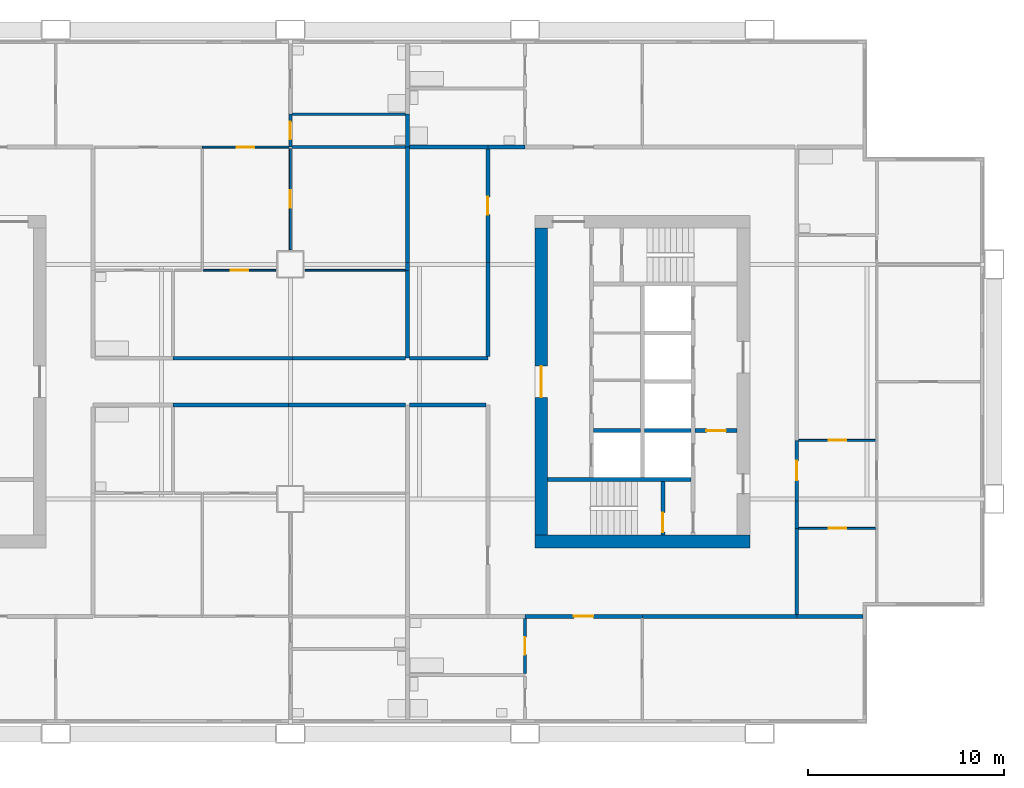
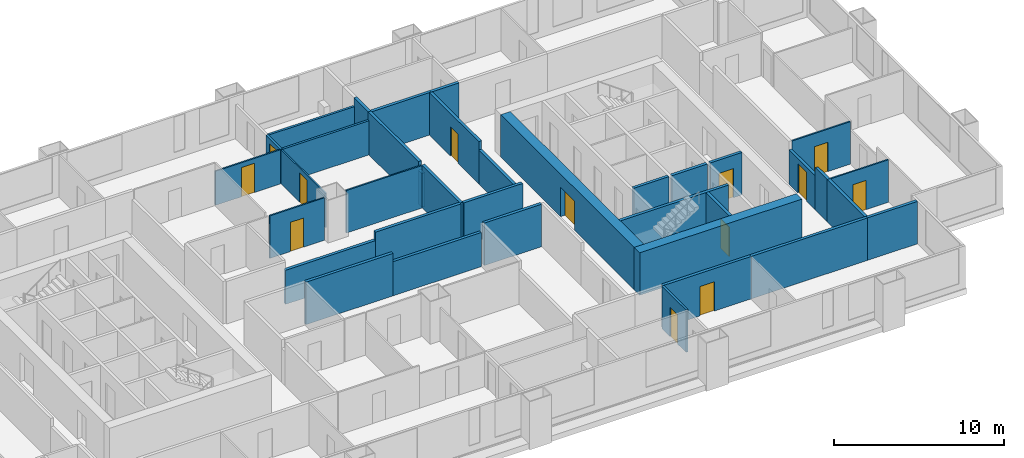
# One storey, part 6 of 11: 37 walls, 13 doors, 13 openings.
"""IFC4 building model written with IfcOpenShell, lengths in metres."""

from ifc_helpers import new_model, si_unit, direction, frame, frame_2d, origin, place, context, subcontext, project, spatial, rectangle, extrude, material, layer, layer_set, type_object, element, fill, save


model = new_model("IFC4")

# Units and contexts
model_context = context("Model", 3, precision=1e-05, world=origin(), true_north=direction((0.0, 1.0)))
body_context = subcontext(model_context, "Body", "Model", "MODEL_VIEW")
ifc_project = project(units=[si_unit("LENGTHUNIT", "METRE"), si_unit("AREAUNIT", "SQUARE_METRE"), si_unit("VOLUMEUNIT", "CUBIC_METRE"), si_unit("PLANEANGLEUNIT", "RADIAN"), si_unit("MASSUNIT", "GRAM", prefix="KILO")], contexts=[model_context])

# Site, building, storey
site_placement = place(None, origin())
site = spatial("IfcSite", under=ifc_project, at=site_placement, CompositionType="ELEMENT")
building_placement = place(site_placement, origin())
building = spatial("IfcBuilding", under=site, at=building_placement, Name="Kitamizu Gate Tower and Museum", CompositionType="ELEMENT")
storey_placement = place(building_placement, frame((0.0, 0.0, 120.75)))
storey = spatial("IfcBuildingStorey", under=building, at=storey_placement, Name="L31", CompositionType="ELEMENT", Elevation=120.75)

# Wall
ifc_material_1 = material(Name="Concrete Fc60", Category="concrete")
ifc_layer_1 = layer(ifc_material_1, 0.64990234375)
ifc_layer_set_1 = layer_set([ifc_layer_1], Name="Concrete Fc60")
wall_type_1 = type_object("IfcWallType", Name="Core wall 650", PredefinedType="SHEAR", material=ifc_layer_set_1)
wall_1_placement = place(storey_placement, frame((59.5, 21.824951171875, 0.0), z_axis=(0.0, 0.0, 1.0), x_axis=(-1.0, 0.0, 0.0)))
element("IfcWall", 1, at=wall_1_placement, inside=storey, type_object=wall_type_1, Name="Core wall ES", PredefinedType="SHEAR", context=body_context, shape_type="SweptSolid", body=[
    extrude(rectangle(XDim=11.0, YDim=0.64990234375, at=frame_2d((5.5, 0.0))), origin(), (0.0, 0.0, 1.0), 3.050048828125),
])

# Wall, opening, door
wall_2_placement = place(storey_placement, frame((48.824951171875, 22.14990234375, 0.0), z_axis=(0.0, 0.0, 1.0), x_axis=(0.0, 1.0, 0.0)))
wall_2 = element("IfcWall", 2, at=wall_2_placement, inside=storey, type_object=wall_type_1, Name="Core wall EARC", PredefinedType="SHEAR", context=body_context, shape_type="SweptSolid", body=[
    extrude(rectangle(XDim=15.7001953125, YDim=0.64990234375, at=frame_2d((7.85009765625, 0.0))), origin(), (0.0, 0.0, 1.0), 3.050048828125),
])
opening_1_placement = place(wall_2_placement, frame((7.050048828125, 0.0, 0.0)))
opening_1 = element("IfcOpeningElement", 3, at=opening_1_placement, cuts=wall_2, Name="Opening L31-068", PredefinedType="OPENING", context=body_context, shape_type="SweptSolid", body=[
    extrude(rectangle(XDim=1.60009765625, YDim=2.10009765625, at=frame_2d((0.800048828125, 1.050048828125))), frame((0.0, 0.3349609375, 0.0), z_axis=(0.0, -1.0, 0.0), x_axis=(1.0, 0.0, 0.0)), (0.0, 0.0, 1.0), 0.669921875),
])
ifc_material_2 = material(Name="Timber door set", Category="wood")
door_type_1 = type_object("IfcDoorType", Name="Entrance door 1600", OperationType="DOUBLE_DOOR_SINGLE_SWING", PredefinedType="DOOR", material=ifc_material_2)
door_1_placement = place(opening_1_placement, origin())
door_1 = element("IfcDoor", 4, at=door_1_placement, inside=storey, type_object=door_type_1, Name="Lobby door L31-068", OperationType="DOUBLE_DOOR_SINGLE_SWING", OverallHeight=2.10009765625, OverallWidth=1.60009765625, PredefinedType="DOOR", context=body_context, shape_type="SweptSolid", body=[
    extrude(rectangle(XDim=1.60009765625, YDim=2.10009765625, at=frame_2d((0.800048828125, 1.050048828125))), frame((0.0, 0.02490234375, 0.0), z_axis=(0.0, -1.0, 0.0), x_axis=(1.0, 0.0, 0.0)), (0.0, 0.0, 1.0), 0.050048828125),
])
fill(opening_1, door_1)

ifc_material_3 = material(Name="Gypsum board on galvanised stud")
ifc_layer_2 = layer(ifc_material_3, 0.10009765625)
ifc_layer_set_2 = layer_set([ifc_layer_2], Name="Gypsum board on galvanised stud")
wall_type_2 = type_object("IfcWallType", Name="Partition 100 NOT RATED", PredefinedType="PARTITIONING", material=ifc_layer_set_2)
wall_3_placement = place(storey_placement, frame((31.5, 42.0, 0.0), z_axis=(0.0, 0.0, 1.0), x_axis=(1.0, 0.0, 0.0)))
wall_3 = element("IfcWall", 5, at=wall_3_placement, inside=storey, type_object=wall_type_2, Name="Partition L31-063", PredefinedType="PARTITIONING", context=body_context, shape_type="SweptSolid", body=[
    extrude(rectangle(XDim=4.425048828125, YDim=0.10009765625, at=frame_2d((2.21240234375, 0.0))), origin(), (0.0, 0.0, 1.0), 2.449951171875),
])
opening_2_placement = place(wall_3_placement, frame((1.762451171875, 0.0, 0.0)))
opening_2 = element("IfcOpeningElement", 6, at=opening_2_placement, cuts=wall_3, Name="Opening L31-023", PredefinedType="OPENING", context=body_context, shape_type="SweptSolid", body=[
    extrude(rectangle(XDim=0.89990234375, YDim=2.10009765625, at=frame_2d((0.449951171875, 1.050048828125))), frame((0.0, 0.06005859375, 0.0), z_axis=(0.0, -1.0, 0.0), x_axis=(1.0, 0.0, 0.0)), (0.0, 0.0, 1.0), 0.1201171875),
])
ifc_material_4 = material(Name="Timber door set", Category="wood")
door_type_2 = type_object("IfcDoorType", Name="Room door 900", OperationType="NOTDEFINED", PredefinedType="DOOR", material=ifc_material_4)
door_2_placement = place(opening_2_placement, frame((0.89990234375, 0.0, 0.0), x_axis=(-1.0, 0.0, 0.0)))
door_2 = element("IfcDoor", 7, at=door_2_placement, inside=storey, type_object=door_type_2, Name="Door L31-023", OperationType="SINGLE_SWING_LEFT", OverallHeight=2.10009765625, OverallWidth=0.89990234375, PredefinedType="DOOR", context=body_context, shape_type="SweptSolid", body=[
    extrude(rectangle(XDim=0.89990234375, YDim=2.10009765625, at=frame_2d((0.449951171875, 1.050048828125))), frame((0.0, 0.02490234375, 0.0), z_axis=(0.0, -1.0, 0.0), x_axis=(1.0, 0.0, 0.0)), (0.0, 0.0, 1.0), 0.050048828125),
])
fill(opening_2, door_2)

wall_4_placement = place(storey_placement, frame((36.0, 36.75, 0.0), z_axis=(0.0, 0.0, 1.0), x_axis=(0.0, 1.0, 0.0)))
wall_4 = element("IfcWall", 8, at=wall_4_placement, inside=storey, type_object=wall_type_2, Name="Partition L31-075", PredefinedType="PARTITIONING", context=body_context, shape_type="SweptSolid", body=[
    extrude(rectangle(XDim=5.175048828125, YDim=0.10009765625, at=frame_2d((2.58740234375, 0.0))), origin(), (0.0, 0.0, 1.0), 2.449951171875),
])
opening_3_placement = place(wall_4_placement, frame((2.137451171875, 0.0, 0.0)))
opening_3 = element("IfcOpeningElement", 9, at=opening_3_placement, cuts=wall_4, Name="Opening L31-027", PredefinedType="OPENING", context=body_context, shape_type="SweptSolid", body=[
    extrude(rectangle(XDim=0.89990234375, YDim=2.10009765625, at=frame_2d((0.449951171875, 1.050048828125))), frame((0.0, 0.06005859375, 0.0), z_axis=(0.0, -1.0, 0.0), x_axis=(1.0, 0.0, 0.0)), (0.0, 0.0, 1.0), 0.1201171875),
])
door_3_placement = place(opening_3_placement, origin())
door_3 = element("IfcDoor", 10, at=door_3_placement, inside=storey, type_object=door_type_2, Name="Door L31-027", OperationType="SINGLE_SWING_RIGHT", OverallHeight=2.10009765625, OverallWidth=0.89990234375, PredefinedType="DOOR", context=body_context, shape_type="SweptSolid", body=[
    extrude(rectangle(XDim=0.89990234375, YDim=2.10009765625, at=frame_2d((0.449951171875, 1.050048828125))), frame((0.0, 0.02490234375, 0.0), z_axis=(0.0, -1.0, 0.0), x_axis=(1.0, 0.0, 0.0)), (0.0, 0.0, 1.0), 0.050048828125),
])
fill(opening_3, door_3)

wall_5_placement = place(storey_placement, frame((31.550048828125, 35.699951171875, 0.0), z_axis=(0.0, 0.0, 1.0), x_axis=(1.0, 0.0, 0.0)))
wall_5 = element("IfcWall", 11, at=wall_5_placement, inside=storey, type_object=wall_type_2, Name="Partition L31-076", PredefinedType="PARTITIONING", context=body_context, shape_type="SweptSolid", body=[
    extrude(rectangle(XDim=3.699951171875, YDim=0.10009765625, at=frame_2d((1.85009765625, 0.0))), origin(), (0.0, 0.0, 1.0), 3.050048828125),
])
opening_4_placement = place(wall_5_placement, frame((1.39990234375, 0.0, 0.0)))
opening_4 = element("IfcOpeningElement", 12, at=opening_4_placement, cuts=wall_5, Name="Opening L31-029", PredefinedType="OPENING", context=body_context, shape_type="SweptSolid", body=[
    extrude(rectangle(XDim=0.89990234375, YDim=2.10009765625, at=frame_2d((0.449951171875, 1.050048828125))), frame((0.0, 0.06005859375, 0.0), z_axis=(0.0, -1.0, 0.0), x_axis=(1.0, 0.0, 0.0)), (0.0, 0.0, 1.0), 0.1201171875),
])
door_4_placement = place(opening_4_placement, origin())
door_4 = element("IfcDoor", 13, at=door_4_placement, inside=storey, type_object=door_type_2, Name="Door L31-029", OperationType="SINGLE_SWING_RIGHT", OverallHeight=2.10009765625, OverallWidth=0.89990234375, PredefinedType="DOOR", context=body_context, shape_type="SweptSolid", body=[
    extrude(rectangle(XDim=0.89990234375, YDim=2.10009765625, at=frame_2d((0.449951171875, 1.050048828125))), frame((0.0, 0.02490234375, 0.0), z_axis=(0.0, -1.0, 0.0), x_axis=(1.0, 0.0, 0.0)), (0.0, 0.0, 1.0), 0.050048828125),
])
fill(opening_4, door_4)

# Wall
wall_6_placement = place(storey_placement, frame((36.75, 35.699951171875, 0.0), z_axis=(0.0, 0.0, 1.0), x_axis=(1.0, 0.0, 0.0)))
element("IfcWall", 14, at=wall_6_placement, inside=storey, type_object=wall_type_2, Name="Partition L31-077", PredefinedType="PARTITIONING", context=body_context, shape_type="SweptSolid", body=[
    extrude(rectangle(XDim=5.14990234375, YDim=0.10009765625, at=frame_2d((2.574951171875, 0.0))), origin(), (0.0, 0.0, 1.0), 3.050048828125),
])

# Wall, opening, door
wall_7_placement = place(storey_placement, frame((65.949951171875, 22.5, 0.0), z_axis=(0.0, 0.0, 1.0), x_axis=(-1.0, 0.0, 0.0)))
wall_7 = element("IfcWall", 15, at=wall_7_placement, inside=storey, type_object=wall_type_2, Name="Partition L31-107", PredefinedType="PARTITIONING", context=body_context, shape_type="SweptSolid", body=[
    extrude(rectangle(XDim=3.949951171875, YDim=0.10009765625, at=frame_2d((1.97509765625, 0.0))), origin(), (0.0, 0.0, 1.0), 3.050048828125),
])
opening_5_placement = place(wall_7_placement, frame((1.52490234375, 0.0, 0.0)))
opening_5 = element("IfcOpeningElement", 16, at=opening_5_placement, cuts=wall_7, Name="Opening L31-040", PredefinedType="OPENING", context=body_context, shape_type="SweptSolid", body=[
    extrude(rectangle(XDim=0.89990234375, YDim=2.10009765625, at=frame_2d((0.449951171875, 1.050048828125))), frame((0.0, 0.06005859375, 0.0), z_axis=(0.0, -1.0, 0.0), x_axis=(1.0, 0.0, 0.0)), (0.0, 0.0, 1.0), 0.1201171875),
])
door_5_placement = place(opening_5_placement, origin())
door_5 = element("IfcDoor", 17, at=door_5_placement, inside=storey, type_object=door_type_2, Name="Door L31-040", OperationType="SINGLE_SWING_LEFT", OverallHeight=2.10009765625, OverallWidth=0.89990234375, PredefinedType="DOOR", context=body_context, shape_type="SweptSolid", body=[
    extrude(rectangle(XDim=0.89990234375, YDim=2.10009765625, at=frame_2d((0.449951171875, 1.050048828125))), frame((0.0, 0.02490234375, 0.0), z_axis=(0.0, -1.0, 0.0), x_axis=(1.0, 0.0, 0.0)), (0.0, 0.0, 1.0), 0.050048828125),
])
fill(opening_5, door_5)

wall_8_placement = place(storey_placement, frame((65.949951171875, 27.0, 0.0), z_axis=(0.0, 0.0, 1.0), x_axis=(-1.0, 0.0, 0.0)))
wall_8 = element("IfcWall", 18, at=wall_8_placement, inside=storey, type_object=wall_type_2, Name="Partition L31-109", PredefinedType="PARTITIONING", context=body_context, shape_type="SweptSolid", body=[
    extrude(rectangle(XDim=3.949951171875, YDim=0.10009765625, at=frame_2d((1.97509765625, 0.0))), origin(), (0.0, 0.0, 1.0), 3.050048828125),
])
opening_6_placement = place(wall_8_placement, frame((1.52490234375, 0.0, 0.0)))
opening_6 = element("IfcOpeningElement", 19, at=opening_6_placement, cuts=wall_8, Name="Opening L31-037", PredefinedType="OPENING", context=body_context, shape_type="SweptSolid", body=[
    extrude(rectangle(XDim=0.89990234375, YDim=2.10009765625, at=frame_2d((0.449951171875, 1.050048828125))), frame((0.0, 0.06005859375, 0.0), z_axis=(0.0, -1.0, 0.0), x_axis=(1.0, 0.0, 0.0)), (0.0, 0.0, 1.0), 0.1201171875),
])
door_6_placement = place(opening_6_placement, origin())
door_6 = element("IfcDoor", 20, at=door_6_placement, inside=storey, type_object=door_type_2, Name="Door L31-037", OperationType="SINGLE_SWING_LEFT", OverallHeight=2.10009765625, OverallWidth=0.89990234375, PredefinedType="DOOR", context=body_context, shape_type="SweptSolid", body=[
    extrude(rectangle(XDim=0.89990234375, YDim=2.10009765625, at=frame_2d((0.449951171875, 1.050048828125))), frame((0.0, 0.02490234375, 0.0), z_axis=(0.0, -1.0, 0.0), x_axis=(1.0, 0.0, 0.0)), (0.0, 0.0, 1.0), 0.050048828125),
])
fill(opening_6, door_6)

ifc_material_5 = material(Name="Gypsum board on galvanised stud")
ifc_layer_3 = layer(ifc_material_5, 0.14990234375)
ifc_layer_set_3 = layer_set([ifc_layer_3], Name="Gypsum board on galvanised stud")
wall_type_3 = type_object("IfcWallType", Name="Partition 150", PredefinedType="PARTITIONING", material=ifc_layer_set_3)
wall_9_placement = place(storey_placement, frame((36.0, 42.0, 0.0), z_axis=(0.0, 0.0, 1.0), x_axis=(0.0, 1.0, 0.0)))
wall_9 = element("IfcWall", 21, at=wall_9_placement, inside=storey, type_object=wall_type_3, Name="Partition L31-061", PredefinedType="PARTITIONING", context=body_context, shape_type="SweptSolid", body=[
    extrude(rectangle(XDim=1.679931640625, YDim=0.14990234375, at=frame_2d((0.83984375, 0.0))), origin(), (0.0, 0.0, 1.0), 2.449951171875),
])
opening_7_placement = place(wall_9_placement, frame((0.389892578125, 0.0, 0.0)))
opening_7 = element("IfcOpeningElement", 22, at=opening_7_placement, cuts=wall_9, Name="Opening L31-026", PredefinedType="OPENING", context=body_context, shape_type="SweptSolid", body=[
    extrude(rectangle(XDim=0.89990234375, YDim=2.10009765625, at=frame_2d((0.449951171875, 1.050048828125))), frame((0.0, 0.0849609375, 0.0), z_axis=(0.0, -1.0, 0.0), x_axis=(1.0, 0.0, 0.0)), (0.0, 0.0, 1.0), 0.169921875),
])
ifc_material_6 = material(Name="Timber door set", Category="wood")
door_type_3 = type_object("IfcDoorType", Name="Bathroom door 900", OperationType="NOTDEFINED", PredefinedType="DOOR", material=ifc_material_6)
door_7_placement = place(opening_7_placement, frame((0.89990234375, 0.0, 0.0), x_axis=(-1.0, 0.0, 0.0)))
door_7 = element("IfcDoor", 23, at=door_7_placement, inside=storey, type_object=door_type_3, Name="Bathroom door L31-026", OperationType="SINGLE_SWING_RIGHT", OverallHeight=2.10009765625, OverallWidth=0.89990234375, PredefinedType="DOOR", context=body_context, shape_type="SweptSolid", body=[
    extrude(rectangle(XDim=0.89990234375, YDim=2.10009765625, at=frame_2d((0.449951171875, 1.050048828125))), frame((0.0, 0.02490234375, 0.0), z_axis=(0.0, -1.0, 0.0), x_axis=(1.0, 0.0, 0.0)), (0.0, 0.0, 1.0), 0.050048828125),
])
fill(opening_7, door_7)

# Walls
for number, where, z_axis, x_axis, name in (
    (24, (36.074951171875, 43.679931640625, 0.0), (0.0, 0.0, 1.0), (1.0, 0.0, 0.0), "Partition L31-065"),
    (25, (36.074951171875, 42.0, 0.0), (0.0, 0.0, 1.0), (1.0, 0.0, 0.0), "Partition L31-068"),
):
    element("IfcWall", number, at=place(storey_placement, frame(where, z_axis=z_axis, x_axis=x_axis)), inside=storey, type_object=wall_type_3, Name=name, PredefinedType="PARTITIONING", context=body_context, shape_type="SweptSolid", body=[
        extrude(rectangle(XDim=5.824951171875, YDim=0.14990234375, at=frame_2d((2.91259765625, 0.0))), origin(), (0.0, 0.0, 1.0), 2.449951171875),
    ])

# Wall, opening, door
wall_10_placement = place(storey_placement, frame((48.0, 15.074951171875, 0.0), z_axis=(0.0, 0.0, 1.0), x_axis=(0.0, 1.0, 0.0)))
wall_10 = element("IfcWall", 26, at=wall_10_placement, inside=storey, type_object=wall_type_3, Name="Partition L31-088", PredefinedType="PARTITIONING", context=body_context, shape_type="SweptSolid", body=[
    extrude(rectangle(XDim=2.824951171875, YDim=0.14990234375, at=frame_2d((1.41259765625, 0.0))), origin(), (0.0, 0.0, 1.0), 3.050048828125),
])
opening_8_placement = place(wall_10_placement, frame((0.96240234375, 0.0, 0.0)))
opening_8 = element("IfcOpeningElement", 27, at=opening_8_placement, cuts=wall_10, Name="Opening L31-034", PredefinedType="OPENING", context=body_context, shape_type="SweptSolid", body=[
    extrude(rectangle(XDim=0.89990234375, YDim=2.10009765625, at=frame_2d((0.449951171875, 1.050048828125))), frame((0.0, 0.0849609375, 0.0), z_axis=(0.0, -1.0, 0.0), x_axis=(1.0, 0.0, 0.0)), (0.0, 0.0, 1.0), 0.169921875),
])
door_8_placement = place(opening_8_placement, origin())
door_8 = element("IfcDoor", 28, at=door_8_placement, inside=storey, type_object=door_type_3, Name="Bathroom door L31-034", OperationType="SINGLE_SWING_LEFT", OverallHeight=2.10009765625, OverallWidth=0.89990234375, PredefinedType="DOOR", context=body_context, shape_type="SweptSolid", body=[
    extrude(rectangle(XDim=0.89990234375, YDim=2.10009765625, at=frame_2d((0.449951171875, 1.050048828125))), frame((0.0, 0.02490234375, 0.0), z_axis=(0.0, -1.0, 0.0), x_axis=(1.0, 0.0, 0.0)), (0.0, 0.0, 1.0), 0.050048828125),
])
fill(opening_8, door_8)

# Walls
ifc_material_7 = material(Name="Gypsum board on galvanised stud")
ifc_layer_4 = layer(ifc_material_7, 0.199951171875)
ifc_layer_set_4 = layer_set([ifc_layer_4], Name="Gypsum board on galvanised stud")
wall_type_4 = type_object("IfcWallType", Name="Partition 200", PredefinedType="PARTITIONING", material=ifc_layer_set_4)
wall_11_placement = place(storey_placement, frame((41.89990234375, 28.800048828125, 0.0), z_axis=(0.0, 0.0, 1.0), x_axis=(-1.0, 0.0, 0.0)))
element("IfcWall", 29, at=wall_11_placement, inside=storey, type_object=wall_type_4, Name="Partition L31-032", PredefinedType="PARTITIONING", context=body_context, shape_type="SweptSolid", body=[
    extrude(rectangle(XDim=6.0, YDim=0.199951171875, at=frame_2d((3.0, 0.0))), origin(), (0.0, 0.0, 1.0), 2.449951171875),
])
wall_12_placement = place(storey_placement, frame((35.89990234375, 28.800048828125, 0.0), z_axis=(0.0, 0.0, 1.0), x_axis=(-1.0, 0.0, 0.0)))
element("IfcWall", 30, at=wall_12_placement, inside=storey, type_object=wall_type_4, Name="Partition L31-033", PredefinedType="PARTITIONING", context=body_context, shape_type="SweptSolid", body=[
    extrude(rectangle(XDim=5.89990234375, YDim=0.199951171875, at=frame_2d((2.949951171875, 0.0))), origin(), (0.0, 0.0, 1.0), 3.050048828125),
])
wall_13_placement = place(storey_placement, frame((42.0, 42.0, 0.0), z_axis=(0.0, 0.0, 1.0), x_axis=(0.0, 1.0, 0.0)))
element("IfcWall", 31, at=wall_13_placement, inside=storey, type_object=wall_type_4, Name="Partition L31-069", PredefinedType="PARTITIONING", context=body_context, shape_type="SweptSolid", body=[
    extrude(rectangle(XDim=1.679931640625, YDim=0.199951171875, at=frame_2d((0.83984375, 0.0))), origin(), (0.0, 0.0, 1.0), 3.050048828125),
])
wall_14_placement = place(storey_placement, frame((42.0, 35.699951171875, 0.0), z_axis=(0.0, 0.0, 1.0), x_axis=(0.0, 1.0, 0.0)))
element("IfcWall", 32, at=wall_14_placement, inside=storey, type_object=wall_type_4, Name="Partition L31-078", PredefinedType="PARTITIONING", context=body_context, shape_type="SweptSolid", body=[
    extrude(rectangle(XDim=0.400146484375, YDim=0.199951171875, at=frame_2d((0.2001953125, 0.0))), origin(), (0.0, 0.0, 1.0), 2.449951171875),
])
wall_15_placement = place(storey_placement, frame((42.0, 36.10009765625, 0.0), z_axis=(0.0, 0.0, 1.0), x_axis=(0.0, 1.0, 0.0)))
element("IfcWall", 33, at=wall_15_placement, inside=storey, type_object=wall_type_4, Name="Partition L31-079", PredefinedType="PARTITIONING", context=body_context, shape_type="SweptSolid", body=[
    extrude(rectangle(XDim=5.89990234375, YDim=0.199951171875, at=frame_2d((2.949951171875, 0.0))), origin(), (0.0, 0.0, 1.0), 3.050048828125),
])
wall_16_placement = place(storey_placement, frame((42.0, 31.199951171875, 0.0), z_axis=(0.0, 0.0, 1.0), x_axis=(0.0, 1.0, 0.0)))
element("IfcWall", 34, at=wall_16_placement, inside=storey, type_object=wall_type_4, Name="Partition L31-083", PredefinedType="PARTITIONING", context=body_context, shape_type="SweptSolid", body=[
    extrude(rectangle(XDim=4.5, YDim=0.199951171875, at=frame_2d((2.25, 0.0))), origin(), (0.0, 0.0, 1.0), 3.050048828125),
])
wall_17_placement = place(storey_placement, frame((30.0, 31.199951171875, 0.0), z_axis=(0.0, 0.0, 1.0), x_axis=(1.0, 0.0, 0.0)))
element("IfcWall", 35, at=wall_17_placement, inside=storey, type_object=wall_type_4, Name="Partition L31-084", PredefinedType="PARTITIONING", context=body_context, shape_type="SweptSolid", body=[
    extrude(rectangle(XDim=6.10009765625, YDim=0.199951171875, at=frame_2d((3.050048828125, 0.0))), origin(), (0.0, 0.0, 1.0), 2.449951171875),
])
wall_18_placement = place(storey_placement, frame((36.10009765625, 31.199951171875, 0.0), z_axis=(0.0, 0.0, 1.0), x_axis=(1.0, 0.0, 0.0)))
element("IfcWall", 36, at=wall_18_placement, inside=storey, type_object=wall_type_4, Name="Partition L31-085", PredefinedType="PARTITIONING", context=body_context, shape_type="SweptSolid", body=[
    extrude(rectangle(XDim=5.7998046875, YDim=0.199951171875, at=frame_2d((2.89990234375, 0.0))), origin(), (0.0, 0.0, 1.0), 3.050048828125),
])

# Wall, opening, door
wall_19_placement = place(storey_placement, frame((54.0, 18.0, 0.0), z_axis=(0.0, 0.0, 1.0), x_axis=(-1.0, 0.0, 0.0)))
wall_19 = element("IfcWall", 37, at=wall_19_placement, inside=storey, type_object=wall_type_4, Name="Partition L31-092", PredefinedType="PARTITIONING", context=body_context, shape_type="SweptSolid", body=[
    extrude(rectangle(XDim=6.0, YDim=0.199951171875, at=frame_2d((3.0, 0.0))), origin(), (0.0, 0.0, 1.0), 3.050048828125),
])
opening_9_placement = place(wall_19_placement, frame((2.5, 0.0, 0.0)))
opening_9 = element("IfcOpeningElement", 38, at=opening_9_placement, cuts=wall_19, Name="Opening L31-031", PredefinedType="OPENING", context=body_context, shape_type="SweptSolid", body=[
    extrude(rectangle(XDim=1.0, YDim=2.10009765625, at=frame_2d((0.5, 1.050048828125))), frame((0.0, 0.10986328125, 0.0), z_axis=(0.0, -1.0, 0.0), x_axis=(1.0, 0.0, 0.0)), (0.0, 0.0, 1.0), 0.219970703125),
])
ifc_material_8 = material(Name="Timber door set", Category="wood")
door_type_4 = type_object("IfcDoorType", Name="Flat entrance door 1000", OperationType="NOTDEFINED", PredefinedType="DOOR", material=ifc_material_8)
door_9_placement = place(opening_9_placement, origin())
door_9 = element("IfcDoor", 39, at=door_9_placement, inside=storey, type_object=door_type_4, Name="Flat entrance door L31-031", OperationType="SINGLE_SWING_RIGHT", OverallHeight=2.10009765625, OverallWidth=1.0, PredefinedType="DOOR", context=body_context, shape_type="SweptSolid", body=[
    extrude(rectangle(XDim=1.0, YDim=2.10009765625, at=frame_2d((0.5, 1.050048828125))), frame((0.0, 0.02490234375, 0.0), z_axis=(0.0, -1.0, 0.0), x_axis=(1.0, 0.0, 0.0)), (0.0, 0.0, 1.0), 0.050048828125),
])
fill(opening_9, door_9)

# Walls
wall_20_placement = place(storey_placement, frame((65.280029296875, 18.0, 0.0), z_axis=(0.0, 0.0, 1.0), x_axis=(-1.0, 0.0, 0.0)))
element("IfcWall", 40, at=wall_20_placement, inside=storey, type_object=wall_type_4, Name="Partition L31-093", PredefinedType="PARTITIONING", context=body_context, shape_type="SweptSolid", body=[
    extrude(rectangle(XDim=3.380126953125, YDim=0.199951171875, at=frame_2d((1.68994140625, 0.0))), origin(), (0.0, 0.0, 1.0), 3.050048828125),
])
wall_21_placement = place(storey_placement, frame((61.89990234375, 18.0, 0.0), z_axis=(0.0, 0.0, 1.0), x_axis=(-1.0, 0.0, 0.0)))
element("IfcWall", 41, at=wall_21_placement, inside=storey, type_object=wall_type_4, Name="Partition L31-094", PredefinedType="PARTITIONING", context=body_context, shape_type="SweptSolid", body=[
    extrude(rectangle(XDim=7.89990234375, YDim=0.199951171875, at=frame_2d((3.949951171875, 0.0))), origin(), (0.0, 0.0, 1.0), 3.050048828125),
])
wall_22_placement = place(storey_placement, frame((46.0, 28.800048828125, 0.0), z_axis=(0.0, 0.0, 1.0), x_axis=(-1.0, 0.0, 0.0)))
element("IfcWall", 42, at=wall_22_placement, inside=storey, type_object=wall_type_4, Name="Partition L31-097", PredefinedType="PARTITIONING", context=body_context, shape_type="SweptSolid", body=[
    extrude(rectangle(XDim=3.89990234375, YDim=0.199951171875, at=frame_2d((1.949951171875, 0.0))), origin(), (0.0, 0.0, 1.0), 3.050048828125),
])
wall_23_placement = place(storey_placement, frame((61.89990234375, 22.5, 0.0), z_axis=(0.0, 0.0, 1.0), x_axis=(0.0, -1.0, 0.0)))
element("IfcWall", 43, at=wall_23_placement, inside=storey, type_object=wall_type_4, Name="Partition L31-108", PredefinedType="PARTITIONING", context=body_context, shape_type="SweptSolid", body=[
    extrude(rectangle(XDim=4.39990234375, YDim=0.199951171875, at=frame_2d((2.199951171875, 0.0))), origin(), (0.0, 0.0, 1.0), 3.050048828125),
])

# Wall, opening, door
wall_24_placement = place(storey_placement, frame((61.89990234375, 27.0, 0.0), z_axis=(0.0, 0.0, 1.0), x_axis=(0.0, -1.0, 0.0)))
wall_24 = element("IfcWall", 44, at=wall_24_placement, inside=storey, type_object=wall_type_4, Name="Partition L31-110", PredefinedType="PARTITIONING", context=body_context, shape_type="SweptSolid", body=[
    extrude(rectangle(XDim=3.10009765625, YDim=0.199951171875, at=frame_2d((1.550048828125, 0.0))), origin(), (0.0, 0.0, 1.0), 2.449951171875),
])
opening_10_placement = place(wall_24_placement, frame((1.050048828125, 0.0, 0.0)))
opening_10 = element("IfcOpeningElement", 45, at=opening_10_placement, cuts=wall_24, Name="Opening L31-035", PredefinedType="OPENING", context=body_context, shape_type="SweptSolid", body=[
    extrude(rectangle(XDim=1.0, YDim=2.10009765625, at=frame_2d((0.5, 1.050048828125))), frame((0.0, 0.10986328125, 0.0), z_axis=(0.0, -1.0, 0.0), x_axis=(1.0, 0.0, 0.0)), (0.0, 0.0, 1.0), 0.219970703125),
])
door_10_placement = place(opening_10_placement, origin())
door_10 = element("IfcDoor", 46, at=door_10_placement, inside=storey, type_object=door_type_4, Name="Flat entrance door L31-035", OperationType="SINGLE_SWING_RIGHT", OverallHeight=2.10009765625, OverallWidth=1.0, PredefinedType="DOOR", context=body_context, shape_type="SweptSolid", body=[
    extrude(rectangle(XDim=1.0, YDim=2.10009765625, at=frame_2d((0.5, 1.050048828125))), frame((0.0, 0.02490234375, 0.0), z_axis=(0.0, -1.0, 0.0), x_axis=(1.0, 0.0, 0.0)), (0.0, 0.0, 1.0), 0.050048828125),
])
fill(opening_10, door_10)

# Walls
wall_25_placement = place(storey_placement, frame((61.89990234375, 23.89990234375, 0.0), z_axis=(0.0, 0.0, 1.0), x_axis=(0.0, -1.0, 0.0)))
element("IfcWall", 47, at=wall_25_placement, inside=storey, type_object=wall_type_4, Name="Partition L31-111", PredefinedType="PARTITIONING", context=body_context, shape_type="SweptSolid", body=[
    extrude(rectangle(XDim=1.39990234375, YDim=0.199951171875, at=frame_2d((0.699951171875, 0.0))), origin(), (0.0, 0.0, 1.0), 3.050048828125),
])
wall_26_placement = place(storey_placement, frame((42.10009765625, 42.0, 0.0), z_axis=(0.0, 0.0, 1.0), x_axis=(1.0, 0.0, 0.0)))
element("IfcWall", 48, at=wall_26_placement, inside=storey, type_object=wall_type_4, Name="Partition L31-119", PredefinedType="PARTITIONING", context=body_context, shape_type="SweptSolid", body=[
    extrude(rectangle(XDim=4.0, YDim=0.199951171875, at=frame_2d((2.0, 0.0))), origin(), (0.0, 0.0, 1.0), 3.050048828125),
])
wall_27_placement = place(storey_placement, frame((46.10009765625, 42.0, 0.0), z_axis=(0.0, 0.0, 1.0), x_axis=(1.0, 0.0, 0.0)))
element("IfcWall", 49, at=wall_27_placement, inside=storey, type_object=wall_type_4, Name="Partition L31-120", PredefinedType="PARTITIONING", context=body_context, shape_type="SweptSolid", body=[
    extrude(rectangle(XDim=1.89990234375, YDim=0.199951171875, at=frame_2d((0.949951171875, 0.0))), origin(), (0.0, 0.0, 1.0), 3.050048828125),
])
wall_28_placement = place(storey_placement, frame((42.10009765625, 31.199951171875, 0.0), z_axis=(0.0, 0.0, 1.0), x_axis=(1.0, 0.0, 0.0)))
element("IfcWall", 50, at=wall_28_placement, inside=storey, type_object=wall_type_4, Name="Partition L31-125", PredefinedType="PARTITIONING", context=body_context, shape_type="SweptSolid", body=[
    extrude(rectangle(XDim=4.0, YDim=0.199951171875, at=frame_2d((2.0, 0.0))), origin(), (0.0, 0.0, 1.0), 3.050048828125),
])
wall_29_placement = place(storey_placement, frame((46.10009765625, 31.300048828125, 0.0), z_axis=(0.0, 0.0, 1.0), x_axis=(0.0, 1.0, 0.0)))
element("IfcWall", 51, at=wall_29_placement, inside=storey, type_object=wall_type_4, Name="Partition L31-126", PredefinedType="PARTITIONING", context=body_context, shape_type="SweptSolid", body=[
    extrude(rectangle(XDim=4.800048828125, YDim=0.199951171875, at=frame_2d((2.39990234375, 0.0))), origin(), (0.0, 0.0, 1.0), 2.449951171875),
])

# Wall, opening, door
wall_30_placement = place(storey_placement, frame((46.10009765625, 36.10009765625, 0.0), z_axis=(0.0, 0.0, 1.0), x_axis=(0.0, 1.0, 0.0)))
wall_30 = element("IfcWall", 52, at=wall_30_placement, inside=storey, type_object=wall_type_4, Name="Partition L31-127", PredefinedType="PARTITIONING", context=body_context, shape_type="SweptSolid", body=[
    extrude(rectangle(XDim=5.7998046875, YDim=0.199951171875, at=frame_2d((2.89990234375, 0.0))), origin(), (0.0, 0.0, 1.0), 3.050048828125),
])
opening_11_placement = place(wall_30_placement, frame((2.449951171875, 0.0, 0.0)))
opening_11 = element("IfcOpeningElement", 53, at=opening_11_placement, cuts=wall_30, Name="Opening L31-047", PredefinedType="OPENING", context=body_context, shape_type="SweptSolid", body=[
    extrude(rectangle(XDim=0.89990234375, YDim=2.10009765625, at=frame_2d((0.449951171875, 1.050048828125))), frame((0.0, 0.10986328125, 0.0), z_axis=(0.0, -1.0, 0.0), x_axis=(1.0, 0.0, 0.0)), (0.0, 0.0, 1.0), 0.219970703125),
])
door_11_placement = place(opening_11_placement, origin())
door_11 = element("IfcDoor", 54, at=door_11_placement, inside=storey, type_object=door_type_2, Name="Door L31-047", OperationType="SINGLE_SWING_RIGHT", OverallHeight=2.10009765625, OverallWidth=0.89990234375, PredefinedType="DOOR", context=body_context, shape_type="SweptSolid", body=[
    extrude(rectangle(XDim=0.89990234375, YDim=2.10009765625, at=frame_2d((0.449951171875, 1.050048828125))), frame((0.0, 0.02490234375, 0.0), z_axis=(0.0, -1.0, 0.0), x_axis=(1.0, 0.0, 0.0)), (0.0, 0.0, 1.0), 0.050048828125),
])
fill(opening_11, door_11)

# Wall
ifc_material_9 = material(Name="Concrete Fc42", Category="concrete")
ifc_layer_5 = layer(ifc_material_9, 0.199951171875)
ifc_layer_set_5 = layer_set([ifc_layer_5], Name="Concrete Fc42")
wall_type_5 = type_object("IfcWallType", Name="Shaft wall 200", PredefinedType="SOLIDWALL", material=ifc_layer_set_5)
wall_31_placement = place(storey_placement, frame((56.5, 25.0, 0.0), z_axis=(0.0, 0.0, 1.0), x_axis=(-1.0, 0.0, 0.0)))
element("IfcWall", 55, at=wall_31_placement, inside=storey, type_object=wall_type_5, Name="Shaft wall ESB", PredefinedType="SOLIDWALL", context=body_context, shape_type="SweptSolid", body=[
    extrude(rectangle(XDim=7.35009765625, YDim=0.199951171875, at=frame_2d((3.675048828125, 0.0))), origin(), (0.0, 0.0, 1.0), 3.050048828125),
])

# Wall, opening, door
wall_32_placement = place(storey_placement, frame((58.85009765625, 27.5, 0.0), z_axis=(0.0, 0.0, 1.0), x_axis=(-1.0, 0.0, 0.0)))
wall_32 = element("IfcWall", 56, at=wall_32_placement, inside=storey, type_object=wall_type_5, Name="Shaft wall EFFN", PredefinedType="SOLIDWALL", context=body_context, shape_type="SweptSolid", body=[
    extrude(rectangle(XDim=2.150146484375, YDim=0.199951171875, at=frame_2d((1.0751953125, 0.0))), origin(), (0.0, 0.0, 1.0), 3.050048828125),
])
opening_12_placement = place(wall_32_placement, frame((0.574951171875, 0.0, 0.0)))
opening_12 = element("IfcOpeningElement", 57, at=opening_12_placement, cuts=wall_32, Name="Opening L31-064", PredefinedType="OPENING", context=body_context, shape_type="SweptSolid", body=[
    extrude(rectangle(XDim=1.0, YDim=2.10009765625, at=frame_2d((0.5, 1.050048828125))), frame((0.0, 0.10986328125, 0.0), z_axis=(0.0, -1.0, 0.0), x_axis=(1.0, 0.0, 0.0)), (0.0, 0.0, 1.0), 0.219970703125),
])
ifc_material_10 = material(Name="Hollow metal door set")
door_type_5 = type_object("IfcDoorType", Name="Fire door 1000", OperationType="NOTDEFINED", PredefinedType="DOOR", material=ifc_material_10)
door_12_placement = place(opening_12_placement, origin())
door_12 = element("IfcDoor", 58, at=door_12_placement, inside=storey, type_object=door_type_5, Name="Fire-fighting lobby door L31-064", OperationType="SINGLE_SWING_RIGHT", OverallHeight=2.10009765625, OverallWidth=1.0, PredefinedType="DOOR", context=body_context, shape_type="SweptSolid", body=[
    extrude(rectangle(XDim=1.0, YDim=2.10009765625, at=frame_2d((0.5, 1.050048828125))), frame((0.0, 0.02490234375, 0.0), z_axis=(0.0, -1.0, 0.0), x_axis=(1.0, 0.0, 0.0)), (0.0, 0.0, 1.0), 0.050048828125),
])
fill(opening_12, door_12)

wall_33_placement = place(storey_placement, frame((55.050048828125, 22.14990234375, 0.0), z_axis=(0.0, 0.0, 1.0), x_axis=(0.0, 1.0, 0.0)))
wall_33 = element("IfcWall", 59, at=wall_33_placement, inside=storey, type_object=wall_type_5, Name="Shaft wall ESZ", PredefinedType="SOLIDWALL", context=body_context, shape_type="SweptSolid", body=[
    extrude(rectangle(XDim=2.75, YDim=0.199951171875, at=frame_2d((1.375, 0.0))), origin(), (0.0, 0.0, 1.0), 3.050048828125),
])
opening_13_placement = place(wall_33_placement, frame((0.14990234375, 0.0, 0.0)))
opening_13 = element("IfcOpeningElement", 60, at=opening_13_placement, cuts=wall_33, Name="Opening L31-060", PredefinedType="OPENING", context=body_context, shape_type="SweptSolid", body=[
    extrude(rectangle(XDim=1.0, YDim=2.10009765625, at=frame_2d((0.5, 1.050048828125))), frame((0.0, 0.10986328125, 0.0), z_axis=(0.0, -1.0, 0.0), x_axis=(1.0, 0.0, 0.0)), (0.0, 0.0, 1.0), 0.219970703125),
])
door_13_placement = place(opening_13_placement, origin())
door_13 = element("IfcDoor", 61, at=door_13_placement, inside=storey, type_object=door_type_5, Name="Stair door L31-060", OperationType="SINGLE_SWING_RIGHT", OverallHeight=2.10009765625, OverallWidth=1.0, PredefinedType="DOOR", context=body_context, shape_type="SweptSolid", body=[
    extrude(rectangle(XDim=1.0, YDim=2.10009765625, at=frame_2d((0.5, 1.050048828125))), frame((0.0, 0.02490234375, 0.0), z_axis=(0.0, -1.0, 0.0), x_axis=(1.0, 0.0, 0.0)), (0.0, 0.0, 1.0), 0.050048828125),
])
fill(opening_13, door_13)

# Walls
for number, where, z_axis, x_axis, name in (
    (62, (56.5, 27.5, 0.0), (0.0, 0.0, 1.0), (-1.0, 0.0, 0.0), "Shaft wall EDVW0"),
    (63, (53.89990234375, 27.5, 0.0), (0.0, 0.0, 1.0), (-1.0, 0.0, 0.0), "Shaft wall EDVE0"),
):
    element("IfcWall", number, at=place(storey_placement, frame(where, z_axis=z_axis, x_axis=x_axis)), inside=storey, type_object=wall_type_5, Name=name, PredefinedType="SOLIDWALL", context=body_context, shape_type="SweptSolid", body=[
        extrude(rectangle(XDim=2.39990234375, YDim=0.199951171875, at=frame_2d((1.199951171875, 0.0))), origin(), (0.0, 0.0, 1.0), 3.050048828125),
    ])

save(model, "model.ifc")
